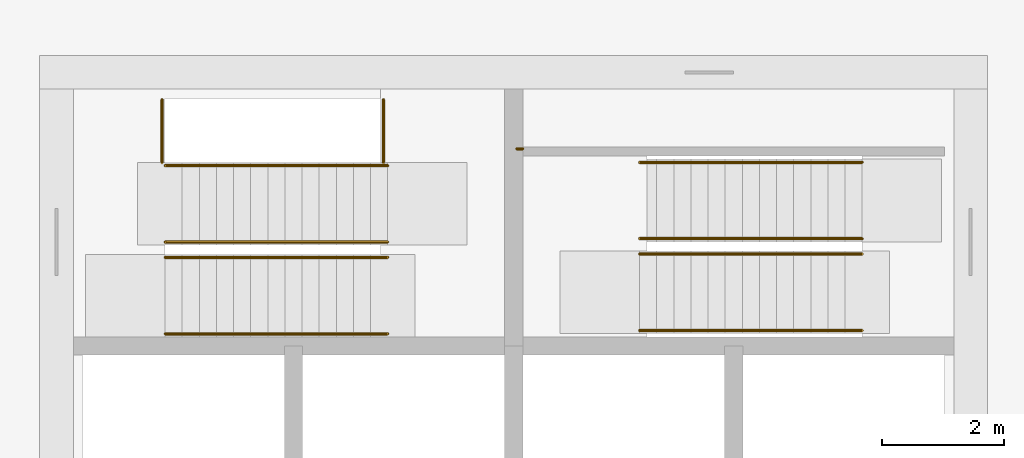
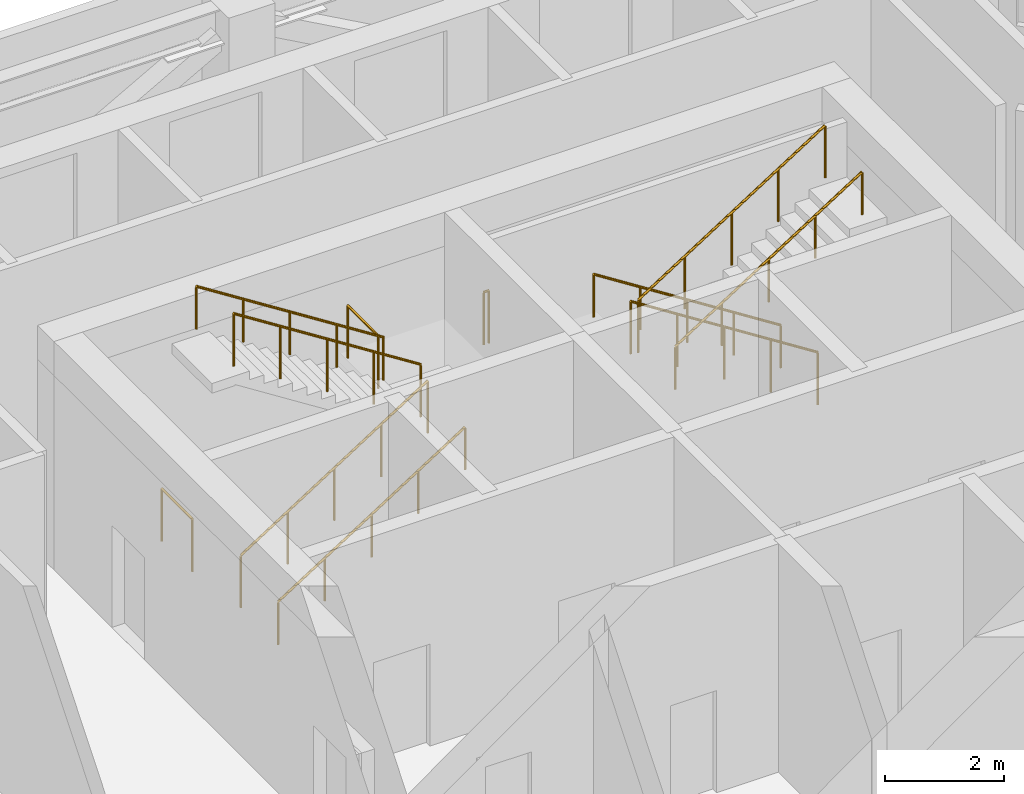
# One storey, part 9 of 10: 11 railings.
"""IFC4 building model written with IfcOpenShell, lengths in metres."""

from ifc_helpers import new_model, si_unit, direction, frame, origin, origin_2d, place, context, subcontext, project, spatial, circle, extrude, material, type_object, element, save


model = new_model("IFC4")

# Units and contexts
model_context = context("Model", 3, precision=1e-05, world=origin(), true_north=direction((0.0, 1.0)))
body_context = subcontext(model_context, "Body", "Model", "MODEL_VIEW")
ifc_project = project(units=[si_unit("LENGTHUNIT", "METRE"), si_unit("AREAUNIT", "SQUARE_METRE"), si_unit("VOLUMEUNIT", "CUBIC_METRE"), si_unit("PLANEANGLEUNIT", "RADIAN"), si_unit("MASSUNIT", "GRAM", prefix="KILO")], contexts=[model_context])

# Site, building, storey
site_placement = place(None, origin())
site = spatial("IfcSite", under=ifc_project, at=site_placement, CompositionType="ELEMENT")
building_placement = place(site_placement, origin())
building = spatial("IfcBuilding", under=site, at=building_placement, Name="Windrow Commons", CompositionType="ELEMENT")
storey_placement = place(building_placement, frame((0.0, 0.0, 180.4)))
storey = spatial("IfcBuildingStorey", under=building, at=storey_placement, Name="L49", CompositionType="ELEMENT", Elevation=180.4)

# Railings
ifc_material_1 = material(Name="Steel S355", Category="steel")
railing_type_1 = type_object("IfcRailingType", Name="Core stair guard 1100", PredefinedType="GUARDRAIL", material=ifc_material_1)
railing_1_placement = place(storey_placement, frame((59.1, 62.05, 0.1786)))
element("IfcRailing", 1, at=railing_1_placement, inside=storey, type_object=railing_type_1, Name="L49 ST-A1 stair guard 1", PredefinedType="GUARDRAIL", context=body_context, shape_type="SweptSolid", body=[
    extrude(circle(Radius=0.024, at=origin_2d()), frame((0.0, 0.0, 1.076), z_axis=(0.8431326905, 0.0, 0.5377055571), x_axis=(0.0, 1.0, 0.0)), (0.0, 0.0, 1.0), 4.3172),
    extrude(circle(Radius=0.021, at=origin_2d()), origin(), (0.0, 0.0, 1.0), 1.052),
    extrude(circle(Radius=0.021, at=origin_2d()), frame((0.91, 0.0, 0.5804)), (0.0, 0.0, 1.0), 1.052),
    extrude(circle(Radius=0.021, at=origin_2d()), frame((1.82, 0.0, 1.1607)), (0.0, 0.0, 1.0), 1.052),
    extrude(circle(Radius=0.021, at=origin_2d()), frame((2.73, 0.0, 1.7411)), (0.0, 0.0, 1.0), 1.052),
    extrude(circle(Radius=0.021, at=origin_2d()), frame((3.64, 0.0, 2.3214)), (0.0, 0.0, 1.0), 1.052),
])
railing_2_placement = place(storey_placement, frame((62.74, 62.3, 2.6786)))
element("IfcRailing", 2, at=railing_2_placement, inside=storey, type_object=railing_type_1, Name="L49 ST-A1 stair guard 2", PredefinedType="GUARDRAIL", context=body_context, shape_type="SweptSolid", body=[
    extrude(circle(Radius=0.024, at=origin_2d()), frame((0.0, 0.0, 1.076), z_axis=(-0.8431326905, 0.0, 0.5377055571), x_axis=(0.0, -1.0, 0.0)), (0.0, 0.0, 1.0), 4.3172),
    extrude(circle(Radius=0.021, at=origin_2d()), origin(), (0.0, 0.0, 1.0), 1.052),
    extrude(circle(Radius=0.021, at=origin_2d()), frame((-0.91, 0.0, 0.5804)), (0.0, 0.0, 1.0), 1.052),
    extrude(circle(Radius=0.021, at=origin_2d()), frame((-1.82, 0.0, 1.1607)), (0.0, 0.0, 1.0), 1.052),
    extrude(circle(Radius=0.021, at=origin_2d()), frame((-2.73, 0.0, 1.7411)), (0.0, 0.0, 1.0), 1.052),
    extrude(circle(Radius=0.021, at=origin_2d()), frame((-3.64, 0.0, 2.3214)), (0.0, 0.0, 1.0), 1.052),
])
for number, where, name in (
    (3, (59.05, 63.6, 0.0), "L49 ST-A1 stair guard 3"),
    (4, (62.67, 63.6, 2.5), "L49 ST-A1 stair guard 4"),
):
    element("IfcRailing", number, at=place(storey_placement, frame(where)), inside=storey, type_object=railing_type_1, Name=name, PredefinedType="GUARDRAIL", context=body_context, shape_type="SweptSolid", body=[
        extrude(circle(Radius=0.024, at=origin_2d()), frame((0.0, 0.0, 1.076), z_axis=(0.0, 1.0, 0.0), x_axis=(-1.0, 0.0, 0.0)), (0.0, 0.0, 1.0), 1.03),
        extrude(circle(Radius=0.021, at=origin_2d()), origin(), (0.0, 0.0, 1.0), 1.052),
        extrude(circle(Radius=0.021, at=origin_2d()), frame((0.0, 1.03, 0.0)), (0.0, 0.0, 1.0), 1.052),
    ])
railing_3_placement = place(storey_placement, frame((70.5, 62.355, 0.1786)))
element("IfcRailing", 5, at=railing_3_placement, inside=storey, type_object=railing_type_1, Name="L49 ST-A2 stair guard 1", PredefinedType="GUARDRAIL", context=body_context, shape_type="SweptSolid", body=[
    extrude(circle(Radius=0.024, at=origin_2d()), frame((0.0, 0.0, 1.076), z_axis=(-0.8431326905, 0.0, 0.5377055571), x_axis=(0.0, -1.0, 0.0)), (0.0, 0.0, 1.0), 4.3172),
    extrude(circle(Radius=0.021, at=origin_2d()), origin(), (0.0, 0.0, 1.0), 1.052),
    extrude(circle(Radius=0.021, at=origin_2d()), frame((-0.91, 0.0, 0.5804)), (0.0, 0.0, 1.0), 1.052),
    extrude(circle(Radius=0.021, at=origin_2d()), frame((-1.82, 0.0, 1.1607)), (0.0, 0.0, 1.0), 1.052),
    extrude(circle(Radius=0.021, at=origin_2d()), frame((-2.73, 0.0, 1.7411)), (0.0, 0.0, 1.0), 1.052),
    extrude(circle(Radius=0.021, at=origin_2d()), frame((-3.64, 0.0, 2.3214)), (0.0, 0.0, 1.0), 1.052),
])
railing_4_placement = place(storey_placement, frame((66.86, 62.105, 2.6786)))
element("IfcRailing", 6, at=railing_4_placement, inside=storey, type_object=railing_type_1, Name="L49 ST-A2 stair guard 2", PredefinedType="GUARDRAIL", context=body_context, shape_type="SweptSolid", body=[
    extrude(circle(Radius=0.024, at=origin_2d()), frame((0.0, 0.0, 1.076), z_axis=(0.8431326905, 0.0, 0.5377055571), x_axis=(0.0, 1.0, 0.0)), (0.0, 0.0, 1.0), 4.3172),
    extrude(circle(Radius=0.021, at=origin_2d()), origin(), (0.0, 0.0, 1.0), 1.052),
    extrude(circle(Radius=0.021, at=origin_2d()), frame((0.91, 0.0, 0.5804)), (0.0, 0.0, 1.0), 1.052),
    extrude(circle(Radius=0.021, at=origin_2d()), frame((1.82, 0.0, 1.1607)), (0.0, 0.0, 1.0), 1.052),
    extrude(circle(Radius=0.021, at=origin_2d()), frame((2.73, 0.0, 1.7411)), (0.0, 0.0, 1.0), 1.052),
    extrude(circle(Radius=0.021, at=origin_2d()), frame((3.64, 0.0, 2.3214)), (0.0, 0.0, 1.0), 1.052),
])
railing_5_placement = place(storey_placement, frame((64.95, 63.825, 2.5)))
element("IfcRailing", 7, at=railing_5_placement, inside=storey, type_object=railing_type_1, Name="L49 ST-A2 stair guard 3", PredefinedType="GUARDRAIL", context=body_context, shape_type="SweptSolid", body=[
    extrude(circle(Radius=0.024, at=origin_2d()), frame((0.0, 0.0, 1.076), z_axis=(-1.0, 0.0, 0.0), x_axis=(0.0, -1.0, 0.0)), (0.0, 0.0, 1.0), 0.1),
    extrude(circle(Radius=0.021, at=origin_2d()), origin(), (0.0, 0.0, 1.0), 1.052),
    extrude(circle(Radius=0.021, at=origin_2d()), frame((-0.1, 0.0, 0.0)), (0.0, 0.0, 1.0), 1.052),
])
ifc_material_2 = material(Name="Steel S355", Category="steel")
railing_type_2 = type_object("IfcRailingType", Name="Core stair handrail 900", PredefinedType="HANDRAIL", material=ifc_material_2)
railing_6_placement = place(storey_placement, frame((59.1, 60.8, 0.1786)))
element("IfcRailing", 8, at=railing_6_placement, inside=storey, type_object=railing_type_2, Name="L49 ST-A1 stair handrail 1", PredefinedType="HANDRAIL", context=body_context, shape_type="SweptSolid", body=[
    extrude(circle(Radius=0.024, at=origin_2d()), frame((0.0, 0.0, 0.876), z_axis=(0.8431326905, 0.0, 0.5377055571), x_axis=(0.0, 1.0, 0.0)), (0.0, 0.0, 1.0), 4.3172),
    extrude(circle(Radius=0.021, at=origin_2d()), origin(), (0.0, 0.0, 1.0), 0.852),
    extrude(circle(Radius=0.021, at=origin_2d()), frame((0.91, 0.0, 0.5804)), (0.0, 0.0, 1.0), 0.852),
    extrude(circle(Radius=0.021, at=origin_2d()), frame((1.82, 0.0, 1.1607)), (0.0, 0.0, 1.0), 0.852),
    extrude(circle(Radius=0.021, at=origin_2d()), frame((2.73, 0.0, 1.7411)), (0.0, 0.0, 1.0), 0.852),
    extrude(circle(Radius=0.021, at=origin_2d()), frame((3.64, 0.0, 2.3214)), (0.0, 0.0, 1.0), 0.852),
])
for number, where, name in (
    (9, (62.74, 63.55, 2.6786), "L49 ST-A1 stair handrail 2"),
    (10, (70.5, 63.605, 0.1786), "L49 ST-A2 stair handrail 1"),
):
    element("IfcRailing", number, at=place(storey_placement, frame(where)), inside=storey, type_object=railing_type_2, Name=name, PredefinedType="HANDRAIL", context=body_context, shape_type="SweptSolid", body=[
        extrude(circle(Radius=0.024, at=origin_2d()), frame((0.0, 0.0, 0.876), z_axis=(-0.8431326905, 0.0, 0.5377055571), x_axis=(0.0, -1.0, 0.0)), (0.0, 0.0, 1.0), 4.3172),
        extrude(circle(Radius=0.021, at=origin_2d()), origin(), (0.0, 0.0, 1.0), 0.852),
        extrude(circle(Radius=0.021, at=origin_2d()), frame((-0.91, 0.0, 0.5804)), (0.0, 0.0, 1.0), 0.852),
        extrude(circle(Radius=0.021, at=origin_2d()), frame((-1.82, 0.0, 1.1607)), (0.0, 0.0, 1.0), 0.852),
        extrude(circle(Radius=0.021, at=origin_2d()), frame((-2.73, 0.0, 1.7411)), (0.0, 0.0, 1.0), 0.852),
        extrude(circle(Radius=0.021, at=origin_2d()), frame((-3.64, 0.0, 2.3214)), (0.0, 0.0, 1.0), 0.852),
    ])
railing_7_placement = place(storey_placement, frame((66.86, 60.855, 2.6786)))
element("IfcRailing", 11, at=railing_7_placement, inside=storey, type_object=railing_type_2, Name="L49 ST-A2 stair handrail 2", PredefinedType="HANDRAIL", context=body_context, shape_type="SweptSolid", body=[
    extrude(circle(Radius=0.024, at=origin_2d()), frame((0.0, 0.0, 0.876), z_axis=(0.8431326905, 0.0, 0.5377055571), x_axis=(0.0, 1.0, 0.0)), (0.0, 0.0, 1.0), 4.3172),
    extrude(circle(Radius=0.021, at=origin_2d()), origin(), (0.0, 0.0, 1.0), 0.852),
    extrude(circle(Radius=0.021, at=origin_2d()), frame((0.91, 0.0, 0.5804)), (0.0, 0.0, 1.0), 0.852),
    extrude(circle(Radius=0.021, at=origin_2d()), frame((1.82, 0.0, 1.1607)), (0.0, 0.0, 1.0), 0.852),
    extrude(circle(Radius=0.021, at=origin_2d()), frame((2.73, 0.0, 1.7411)), (0.0, 0.0, 1.0), 0.852),
    extrude(circle(Radius=0.021, at=origin_2d()), frame((3.64, 0.0, 2.3214)), (0.0, 0.0, 1.0), 0.852),
])

save(model, "model.ifc")
